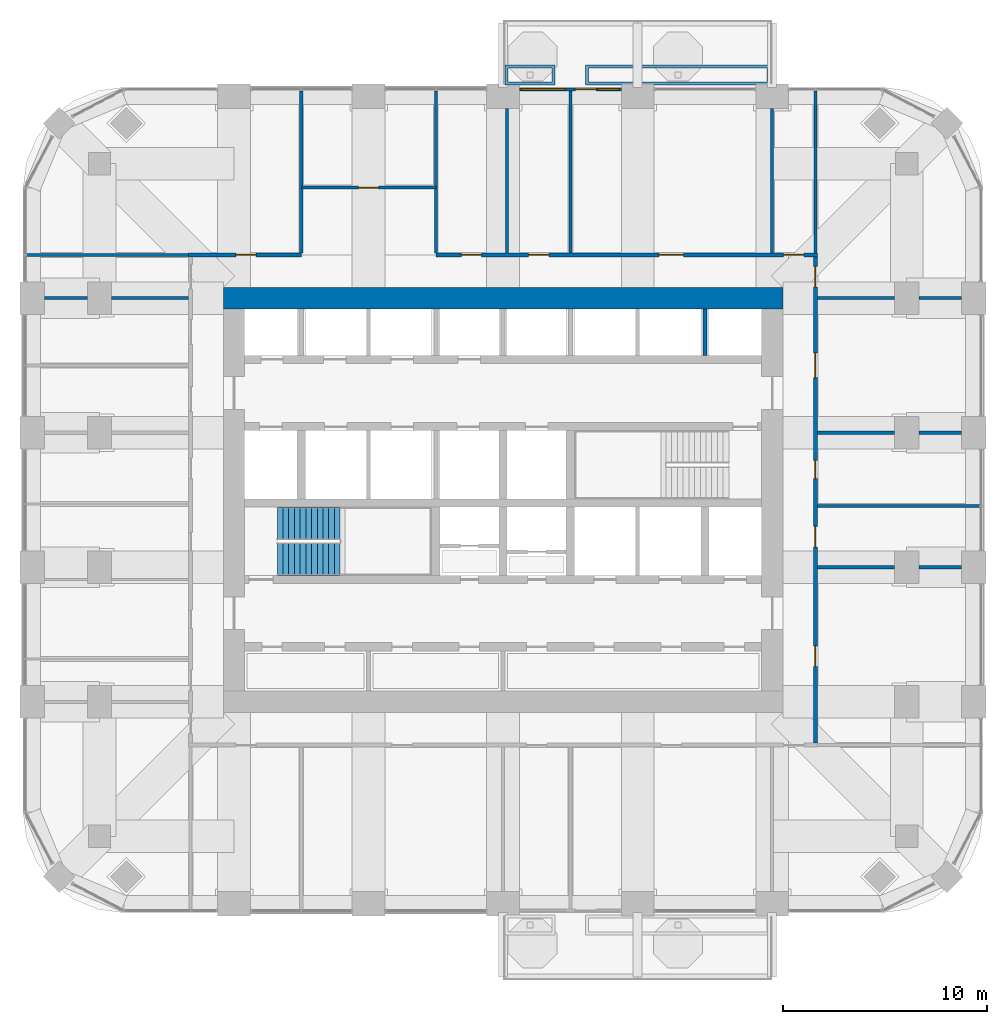
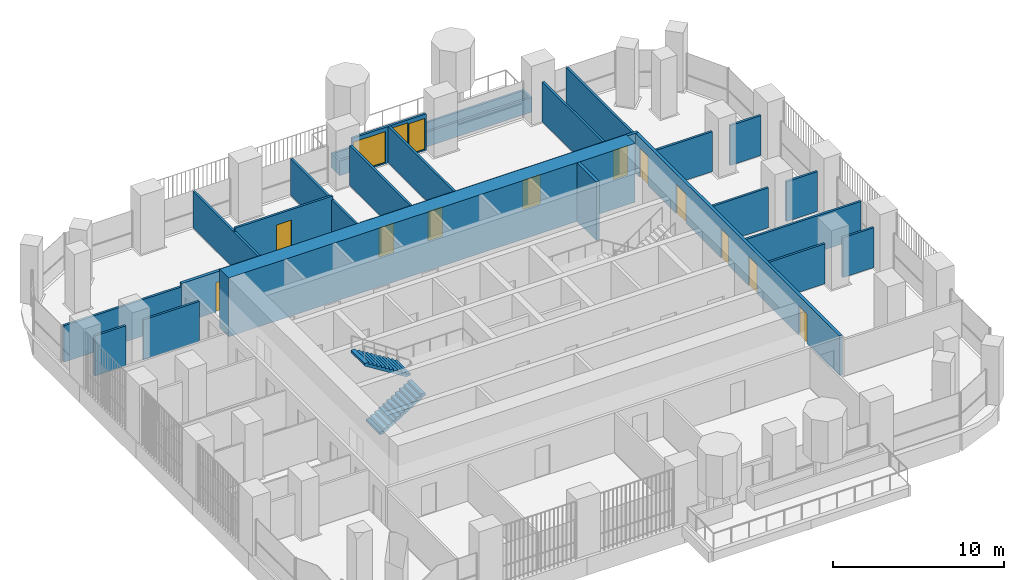
# One storey, part 15 of 20: 25 walls, 12 doors, 2 stair flights, 2 windows, 14 openings, 1 element without a shape of its own.
"""IFC4 building model written with IfcOpenShell, lengths in metres."""

from ifc_helpers import new_model, si_unit, direction, frame, frame_2d, origin, place, context, subcontext, project, spatial, polyline, rectangle, outline, extrude, material, layer, layer_set, type_object, element, fill, aggregate, save


model = new_model("IFC4")

# Units and contexts
model_context = context("Model", 3, precision=1e-05, world=origin(), true_north=direction((0.0, 1.0)))
body_context = subcontext(model_context, "Body", "Model", "MODEL_VIEW")
ifc_project = project(units=[si_unit("LENGTHUNIT", "METRE"), si_unit("AREAUNIT", "SQUARE_METRE"), si_unit("VOLUMEUNIT", "CUBIC_METRE"), si_unit("PLANEANGLEUNIT", "RADIAN"), si_unit("MASSUNIT", "GRAM", prefix="KILO")], contexts=[model_context])

# Site, building, storey
site_placement = place(None, origin())
site = spatial("IfcSite", under=ifc_project, at=site_placement, CompositionType="ELEMENT")
building_placement = place(site_placement, origin())
building = spatial("IfcBuilding", under=site, at=building_placement, Name="Cobogo Forest Laboratory Tower", CompositionType="ELEMENT")
storey_placement = place(building_placement, frame((0.0, 0.0, 214.5)))
storey = spatial("IfcBuildingStorey", under=building, at=storey_placement, Name="L49", CompositionType="ELEMENT", Elevation=214.5)

# Wall
ifc_material_1 = material(Name="Concrete HA-50 (C50/60)", Category="concrete")
ifc_layer_1 = layer(ifc_material_1, 1.050048828125)
ifc_layer_set_1 = layer_set([ifc_layer_1], Name="CW1050 core outer wall 1050")
wall_type_1 = type_object("IfcWallType", Name="CW1050 core outer wall 1050", PredefinedType="SHEAR", material=ifc_layer_set_1)
wall_1_placement = place(storey_placement, frame((40.125, 33.0, 0.0), z_axis=(0.0, 0.0, 1.0), x_axis=(-1.0, 0.0, 0.0)))
element("IfcWall", 1, at=wall_1_placement, inside=storey, type_object=wall_type_1, Name="Core wall CO-N L49", PredefinedType="SHEAR", context=body_context, shape_type="SweptSolid", body=[
    extrude(rectangle(XDim=27.449951171875, YDim=1.050048828125, at=frame_2d((13.72509765625, 0.0))), origin(), (0.0, 0.0, 1.0), 4.199951171875),
])

# Wall, openings, door, windows
ifc_material_2 = material(Name="Aluminium framed glazed screen", Category="aluminium")
ifc_layer_2 = layer(ifc_material_2, 0.14990234375)
ifc_layer_set_2 = layer_set([ifc_layer_2], Name="GS1 glazed door screen 150")
wall_type_2 = type_object("IfcWallType", Name="GS1 glazed door screen 150", PredefinedType="SOLIDWALL", material=ifc_layer_set_2)
wall_2_placement = place(storey_placement, frame((32.199951171875, 43.25, 0.0), z_axis=(0.0, 0.0, 1.0), x_axis=(-1.0, 0.0, 0.0)))
wall_2 = element("IfcWall", 2, at=wall_2_placement, inside=storey, type_object=wall_type_2, Name="Door screen BAL-N1 L49", PredefinedType="SOLIDWALL", context=body_context, shape_type="SweptSolid", body=[
    extrude(rectangle(XDim=5.0, YDim=0.14990234375, at=frame_2d((2.5, 0.0))), origin(), (0.0, 0.0, 1.0), 2.60009765625),
])
opening_1_placement = place(wall_2_placement, frame((1.25, 0.0, 0.0)))
opening_1 = element("IfcOpeningElement", 3, at=opening_1_placement, cuts=wall_2, Name="Opening L49-D44", PredefinedType="OPENING", context=body_context, shape_type="SweptSolid", body=[
    extrude(rectangle(XDim=1.0, YDim=2.39990234375, at=frame_2d((0.5, 1.199951171875))), frame((0.0, 0.0849609375, 0.0), z_axis=(0.0, -1.0, 0.0), x_axis=(1.0, 0.0, 0.0)), (0.0, 0.0, 1.0), 0.169921875),
])
opening_2_placement = place(wall_2_placement, frame((0.10009765625, 0.0, 0.10009765625)))
opening_2 = element("IfcOpeningElement", 4, at=opening_2_placement, cuts=wall_2, Name="Opening L49-W04", PredefinedType="OPENING", context=body_context, shape_type="SweptSolid", body=[
    extrude(rectangle(XDim=1.050048828125, YDim=2.199951171875, at=frame_2d((0.52490234375, 1.10009765625))), frame((0.0, 0.0849609375, 0.0), z_axis=(0.0, -1.0, 0.0), x_axis=(1.0, 0.0, 0.0)), (0.0, 0.0, 1.0), 0.169921875),
])
opening_3_placement = place(wall_2_placement, frame((2.75, 0.0, 0.10009765625)))
opening_3 = element("IfcOpeningElement", 5, at=opening_3_placement, cuts=wall_2, Name="Opening L49-W03", PredefinedType="OPENING", context=body_context, shape_type="SweptSolid", body=[
    extrude(rectangle(XDim=2.14990234375, YDim=2.199951171875, at=frame_2d((1.074951171875, 1.10009765625))), frame((0.0, 0.0849609375, 0.0), z_axis=(0.0, -1.0, 0.0), x_axis=(1.0, 0.0, 0.0)), (0.0, 0.0, 1.0), 0.169921875),
])
ifc_material_3 = material(Name="Aluminium glazed door", Category="aluminium")
door_type_1 = type_object("IfcDoorType", Name="DB1 balcony door 1000 glazed", OperationType="SINGLE_SWING_LEFT", PredefinedType="DOOR", material=ifc_material_3)
door_1_placement = place(opening_1_placement, origin())
door_1 = element("IfcDoor", 6, at=door_1_placement, inside=storey, type_object=door_type_1, Name="Door L49-BAL-N1", OperationType="SINGLE_SWING_LEFT", OverallHeight=2.39990234375, OverallWidth=1.0, PredefinedType="DOOR", context=body_context, shape_type="SweptSolid", body=[
    extrude(rectangle(XDim=1.0, YDim=2.39990234375, at=frame_2d((0.5, 1.199951171875))), frame((0.0, 0.02490234375, 0.0), z_axis=(0.0, -1.0, 0.0), x_axis=(1.0, 0.0, 0.0)), (0.0, 0.0, 1.0), 0.050048828125),
])
fill(opening_1, door_1)
ifc_material_4 = material(Name="Aluminium framed glazing", Category="aluminium")
window_type_1 = type_object("IfcWindowType", Name="WG17 fixed glazed light 2150x2200", PartitioningType="SINGLE_PANEL", PredefinedType="WINDOW", material=ifc_material_4)
window_1_placement = place(opening_3_placement, origin())
window_1 = element("IfcWindow", 7, at=window_1_placement, inside=storey, type_object=window_type_1, Name="Window L49-BAL-N1-2", OverallHeight=2.199951171875, OverallWidth=2.14990234375, PartitioningType="SINGLE_PANEL", PredefinedType="WINDOW", context=body_context, shape_type="SweptSolid", body=[
    extrude(rectangle(XDim=2.14990234375, YDim=2.199951171875, at=frame_2d((1.074951171875, 1.10009765625))), frame((0.0, 0.030029296875, 0.0), z_axis=(0.0, -1.0, 0.0), x_axis=(1.0, 0.0, 0.0)), (0.0, 0.0, 1.0), 0.06005859375),
])
fill(opening_3, window_1)
window_type_2 = type_object("IfcWindowType", Name="WG18 fixed glazed light 1050x2200", PartitioningType="SINGLE_PANEL", PredefinedType="WINDOW", material=ifc_material_4)
window_2_placement = place(opening_2_placement, origin())
window_2 = element("IfcWindow", 8, at=window_2_placement, inside=storey, type_object=window_type_2, Name="Window L49-BAL-N1-1", OverallHeight=2.199951171875, OverallWidth=1.050048828125, PartitioningType="SINGLE_PANEL", PredefinedType="WINDOW", context=body_context, shape_type="SweptSolid", body=[
    extrude(rectangle(XDim=1.050048828125, YDim=2.199951171875, at=frame_2d((0.52490234375, 1.10009765625))), frame((0.0, 0.030029296875, 0.0), z_axis=(0.0, -1.0, 0.0), x_axis=(1.0, 0.0, 0.0)), (0.0, 0.0, 1.0), 0.06005859375),
])
fill(opening_2, window_2)

# Walls
ifc_material_5 = material(Name="Gypsum board on steel studs", Category="steel")
ifc_layer_3 = layer(ifc_material_5, 0.14990234375)
ifc_layer_set_3 = layer_set([ifc_layer_3], Name="PT1 laboratory partition 150")
wall_type_3 = type_object("IfcWallType", Name="PT1 laboratory partition 150", PredefinedType="PARTITIONING", material=ifc_layer_set_3)
wall_3_placement = place(storey_placement, frame((41.72509765625, 43.169921875, 0.0), z_axis=(0.0, 0.0, 1.0), x_axis=(0.0, -1.0, 0.0)))
element("IfcWall", 9, at=wall_3_placement, inside=storey, type_object=wall_type_3, Name="Partition PW-NE L49", PredefinedType="PARTITIONING", context=body_context, shape_type="SweptSolid", body=[
    extrude(rectangle(XDim=7.94482421875, YDim=0.14990234375, at=frame_2d((3.972412109375, 0.0))), origin(), (0.0, 0.0, 1.0), 2.60009765625),
])
for number, where, z_axis, x_axis, name in (
    (10, (3.030029296875, 35.125, 0.0), (0.0, 0.0, 1.0), (1.0, 0.0, 0.0), "Partition PW-NW L49"),
    (11, (49.77001953125, 22.800048828125, 0.0), (0.0, 0.0, 1.0), (-1.0, 0.0, 0.0), "Partition SVC-E1-1 L49"),
):
    element("IfcWall", number, at=place(storey_placement, frame(where, z_axis=z_axis, x_axis=x_axis)), inside=storey, type_object=wall_type_3, Name=name, PredefinedType="PARTITIONING", context=body_context, shape_type="SweptSolid", body=[
        extrude(rectangle(XDim=7.945068359375, YDim=0.14990234375, at=frame_2d((3.97265625, 0.0))), origin(), (0.0, 0.0, 1.0), 2.60009765625),
    ])
wall_4_placement = place(storey_placement, frame((48.89990234375, 26.39990234375, 0.0), z_axis=(0.0, 0.0, 1.0), x_axis=(-1.0, 0.0, 0.0)))
element("IfcWall", 12, at=wall_4_placement, inside=storey, type_object=wall_type_3, Name="Partition SVC-E2-1 L49", PredefinedType="PARTITIONING", context=body_context, shape_type="SweptSolid", body=[
    extrude(rectangle(XDim=2.099853515625, YDim=0.14990234375, at=frame_2d((1.0498046875, 0.0))), origin(), (0.0, 0.0, 1.0), 2.85009765625),
])
wall_5_placement = place(storey_placement, frame((45.60009765625, 26.39990234375, 0.0), z_axis=(0.0, 0.0, 1.0), x_axis=(-1.0, 0.0, 0.0)))
element("IfcWall", 13, at=wall_5_placement, inside=storey, type_object=wall_type_3, Name="Partition SVC-E2-2 L49", PredefinedType="PARTITIONING", context=body_context, shape_type="SweptSolid", body=[
    extrude(rectangle(XDim=3.775146484375, YDim=0.14990234375, at=frame_2d((1.8876953125, 0.0))), origin(), (0.0, 0.0, 1.0), 2.85009765625),
])
wall_6_placement = place(storey_placement, frame((48.89990234375, 19.800048828125, 0.0), z_axis=(0.0, 0.0, 1.0), x_axis=(-1.0, 0.0, 0.0)))
element("IfcWall", 14, at=wall_6_placement, inside=storey, type_object=wall_type_3, Name="Partition CUT-E19.8-1 L49", PredefinedType="PARTITIONING", context=body_context, shape_type="SweptSolid", body=[
    extrude(rectangle(XDim=2.099853515625, YDim=0.14990234375, at=frame_2d((1.0498046875, 0.0))), origin(), (0.0, 0.0, 1.0), 2.85009765625),
])
wall_7_placement = place(storey_placement, frame((45.60009765625, 19.800048828125, 0.0), z_axis=(0.0, 0.0, 1.0), x_axis=(-1.0, 0.0, 0.0)))
element("IfcWall", 15, at=wall_7_placement, inside=storey, type_object=wall_type_3, Name="Partition CUT-E19.8-2 L49", PredefinedType="PARTITIONING", context=body_context, shape_type="SweptSolid", body=[
    extrude(rectangle(XDim=3.775146484375, YDim=0.14990234375, at=frame_2d((1.8876953125, 0.0))), origin(), (0.0, 0.0, 1.0), 2.85009765625),
])
wall_8_placement = place(storey_placement, frame((48.89990234375, 33.0, 0.0), z_axis=(0.0, 0.0, 1.0), x_axis=(-1.0, 0.0, 0.0)))
element("IfcWall", 16, at=wall_8_placement, inside=storey, type_object=wall_type_3, Name="Partition CUT-E33-1 L49", PredefinedType="PARTITIONING", context=body_context, shape_type="SweptSolid", body=[
    extrude(rectangle(XDim=2.099853515625, YDim=0.14990234375, at=frame_2d((1.0498046875, 0.0))), origin(), (0.0, 0.0, 1.0), 2.85009765625),
])
wall_9_placement = place(storey_placement, frame((45.60009765625, 33.0, 0.0), z_axis=(0.0, 0.0, 1.0), x_axis=(-1.0, 0.0, 0.0)))
element("IfcWall", 17, at=wall_9_placement, inside=storey, type_object=wall_type_3, Name="Partition CUT-E33-2 L49", PredefinedType="PARTITIONING", context=body_context, shape_type="SweptSolid", body=[
    extrude(rectangle(XDim=3.775146484375, YDim=0.14990234375, at=frame_2d((1.8876953125, 0.0))), origin(), (0.0, 0.0, 1.0), 2.85009765625),
])

# Wall, opening, door
wall_10_placement = place(storey_placement, frame((16.5, 38.425048828125, 0.0), z_axis=(0.0, 0.0, 1.0), x_axis=(1.0, 0.0, 0.0)))
wall_10 = element("IfcWall", 18, at=wall_10_placement, inside=storey, type_object=wall_type_3, Name="Partition NODE-N-1 L49", PredefinedType="PARTITIONING", context=body_context, shape_type="SweptSolid", body=[
    extrude(rectangle(XDim=6.60009765625, YDim=0.14990234375, at=frame_2d((3.300048828125, 0.0))), origin(), (0.0, 0.0, 1.0), 2.85009765625),
])
opening_4_placement = place(wall_10_placement, frame((2.800048828125, 0.0, 0.0)))
opening_4 = element("IfcOpeningElement", 19, at=opening_4_placement, cuts=wall_10, Name="Opening L49-D43", PredefinedType="OPENING", context=body_context, shape_type="SweptSolid", body=[
    extrude(rectangle(XDim=1.0, YDim=2.10009765625, at=frame_2d((0.5, 1.050048828125))), frame((0.0, 0.0849609375, 0.0), z_axis=(0.0, -1.0, 0.0), x_axis=(1.0, 0.0, 0.0)), (0.0, 0.0, 1.0), 0.169921875),
])
ifc_material_6 = material(Name="Timber fire door", Category="wood")
door_type_2 = type_object("IfcDoorType", Name="FD2 fire door 1000 EI2 30", OperationType="SINGLE_SWING_LEFT", PredefinedType="DOOR", material=ifc_material_6)
door_2_placement = place(opening_4_placement, origin())
door_2 = element("IfcDoor", 20, at=door_2_placement, inside=storey, type_object=door_type_2, Name="Door L49-N2", OperationType="SINGLE_SWING_LEFT", OverallHeight=2.10009765625, OverallWidth=1.0, PredefinedType="DOOR", context=body_context, shape_type="SweptSolid", body=[
    extrude(rectangle(XDim=1.0, YDim=2.10009765625, at=frame_2d((0.5, 1.050048828125))), frame((0.0, 0.02490234375, 0.0), z_axis=(0.0, -1.0, 0.0), x_axis=(1.0, 0.0, 0.0)), (0.0, 0.0, 1.0), 0.050048828125),
])
fill(opening_4, door_2)

# Walls
wall_11_placement = place(storey_placement, frame((26.60009765625, 42.300048828125, 0.0), z_axis=(0.0, 0.0, 1.0), x_axis=(0.0, -1.0, 0.0)))
element("IfcWall", 21, at=wall_11_placement, inside=storey, type_object=wall_type_3, Name="Partition SVC-N1-1 L49", PredefinedType="PARTITIONING", context=body_context, shape_type="SweptSolid", body=[
    extrude(rectangle(XDim=7.074951171875, YDim=0.14990234375, at=frame_2d((3.53759765625, 0.0))), origin(), (0.0, 0.0, 1.0), 2.85009765625),
])
for number, where, z_axis, x_axis, name in (
    (22, (29.699951171875, 43.169921875, 0.0), (0.0, 0.0, 1.0), (0.0, -1.0, 0.0), "Partition SVC-N2-1 L49"),
    (23, (16.5, 43.169921875, 0.0), (0.0, 0.0, 1.0), (0.0, -1.0, 0.0), "Partition CUT-N16.5-1 L49"),
    (24, (23.10009765625, 43.169921875, 0.0), (0.0, 0.0, 1.0), (0.0, -1.0, 0.0), "Partition CUT-N23.1-1 L49"),
):
    element("IfcWall", number, at=place(storey_placement, frame(where, z_axis=z_axis, x_axis=x_axis)), inside=storey, type_object=wall_type_3, Name=name, PredefinedType="PARTITIONING", context=body_context, shape_type="SweptSolid", body=[
        extrude(rectangle(XDim=7.94482421875, YDim=0.14990234375, at=frame_2d((3.972412109375, 0.0))), origin(), (0.0, 0.0, 1.0), 2.60009765625),
    ])
wall_12_placement = place(storey_placement, frame((39.60009765625, 42.300048828125, 0.0), z_axis=(0.0, 0.0, 1.0), x_axis=(0.0, -1.0, 0.0)))
element("IfcWall", 25, at=wall_12_placement, inside=storey, type_object=wall_type_3, Name="Partition CUT-N39.6-1 L49", PredefinedType="PARTITIONING", context=body_context, shape_type="SweptSolid", body=[
    extrude(rectangle(XDim=7.074951171875, YDim=0.14990234375, at=frame_2d((3.53759765625, 0.0))), origin(), (0.0, 0.0, 1.0), 2.85009765625),
])
wall_13_placement = place(storey_placement, frame((3.89990234375, 33.0, 0.0), z_axis=(0.0, 0.0, 1.0), x_axis=(1.0, 0.0, 0.0)))
element("IfcWall", 26, at=wall_13_placement, inside=storey, type_object=wall_type_3, Name="Partition CUT-W33-1 L49", PredefinedType="PARTITIONING", context=body_context, shape_type="SweptSolid", body=[
    extrude(rectangle(XDim=2.10009765625, YDim=0.14990234375, at=frame_2d((1.050048828125, 0.0))), origin(), (0.0, 0.0, 1.0), 2.85009765625),
])
wall_14_placement = place(storey_placement, frame((7.199951171875, 33.0, 0.0), z_axis=(0.0, 0.0, 1.0), x_axis=(1.0, 0.0, 0.0)))
element("IfcWall", 27, at=wall_14_placement, inside=storey, type_object=wall_type_3, Name="Partition CUT-W33-2 L49", PredefinedType="PARTITIONING", context=body_context, shape_type="SweptSolid", body=[
    extrude(rectangle(XDim=3.775146484375, YDim=0.14990234375, at=frame_2d((1.8876953125, 0.0))), origin(), (0.0, 0.0, 1.0), 2.85009765625),
])

# Wall, opening, door
ifc_layer_4 = layer(ifc_material_5, 0.199951171875)
ifc_layer_set_4 = layer_set([ifc_layer_4], Name="PT2 fire-rated corridor partition 200")
wall_type_4 = type_object("IfcWallType", Name="PT2 fire-rated corridor partition 200", PredefinedType="PARTITIONING", material=ifc_layer_set_4)
wall_15_placement = place(storey_placement, frame((10.97509765625, 35.125, 0.0), z_axis=(0.0, 0.0, 1.0), x_axis=(1.0, 0.0, 0.0)))
wall_15 = element("IfcWall", 28, at=wall_15_placement, inside=storey, type_object=wall_type_4, Name="Partition CORR-N-1 L49", PredefinedType="PARTITIONING", context=body_context, shape_type="SweptSolid", body=[
    extrude(rectangle(XDim=5.52490234375, YDim=0.199951171875, at=frame_2d((2.762451171875, 0.0))), origin(), (0.0, 0.0, 1.0), 2.85009765625),
])
opening_5_placement = place(wall_15_placement, frame((2.3125, 0.0, 0.0)))
opening_5 = element("IfcOpeningElement", 29, at=opening_5_placement, cuts=wall_15, Name="Opening L49-D38", PredefinedType="OPENING", context=body_context, shape_type="SweptSolid", body=[
    extrude(rectangle(XDim=1.0, YDim=2.10009765625, at=frame_2d((0.5, 1.050048828125))), frame((0.0, 0.10986328125, 0.0), z_axis=(0.0, -1.0, 0.0), x_axis=(1.0, 0.0, 0.0)), (0.0, 0.0, 1.0), 0.219970703125),
])
door_3_placement = place(opening_5_placement, origin())
door_3 = element("IfcDoor", 30, at=door_3_placement, inside=storey, type_object=door_type_2, Name="Door L49-N1", OperationType="SINGLE_SWING_RIGHT", OverallHeight=2.10009765625, OverallWidth=1.0, PredefinedType="DOOR", context=body_context, shape_type="SweptSolid", body=[
    extrude(rectangle(XDim=1.0, YDim=2.10009765625, at=frame_2d((0.5, 1.050048828125))), frame((0.0, 0.02490234375, 0.0), z_axis=(0.0, -1.0, 0.0), x_axis=(1.0, 0.0, 0.0)), (0.0, 0.0, 1.0), 0.050048828125),
])
fill(opening_5, door_3)

# Wall, openings, doors
wall_16_placement = place(storey_placement, frame((23.10009765625, 35.125, 0.0), z_axis=(0.0, 0.0, 1.0), x_axis=(1.0, 0.0, 0.0)))
wall_16 = element("IfcWall", 31, at=wall_16_placement, inside=storey, type_object=wall_type_4, Name="Partition CORR-N-2 L49", PredefinedType="PARTITIONING", context=body_context, shape_type="SweptSolid", body=[
    extrude(rectangle(XDim=18.724853515625, YDim=0.199951171875, at=frame_2d((9.3623046875, 0.0))), origin(), (0.0, 0.0, 1.0), 2.85009765625),
])
opening_6_placement = place(wall_16_placement, frame((1.25, 0.0, 0.0)))
opening_6 = element("IfcOpeningElement", 32, at=opening_6_placement, cuts=wall_16, Name="Opening L49-D39", PredefinedType="OPENING", context=body_context, shape_type="SweptSolid", body=[
    extrude(rectangle(XDim=1.0, YDim=2.10009765625, at=frame_2d((0.5, 1.050048828125))), frame((0.0, 0.10986328125, 0.0), z_axis=(0.0, -1.0, 0.0), x_axis=(1.0, 0.0, 0.0)), (0.0, 0.0, 1.0), 0.219970703125),
])
opening_7_placement = place(wall_16_placement, frame((4.550048828125, 0.0, 0.0)))
opening_7 = element("IfcOpeningElement", 33, at=opening_7_placement, cuts=wall_16, Name="Opening L49-D40", PredefinedType="OPENING", context=body_context, shape_type="SweptSolid", body=[
    extrude(rectangle(XDim=1.0, YDim=2.10009765625, at=frame_2d((0.5, 1.050048828125))), frame((0.0, 0.10986328125, 0.0), z_axis=(0.0, -1.0, 0.0), x_axis=(1.0, 0.0, 0.0)), (0.0, 0.0, 1.0), 0.219970703125),
])
opening_8_placement = place(wall_16_placement, frame((10.949951171875, 0.0, 0.0)))
opening_8 = element("IfcOpeningElement", 34, at=opening_8_placement, cuts=wall_16, Name="Opening L49-D41", PredefinedType="OPENING", context=body_context, shape_type="SweptSolid", body=[
    extrude(rectangle(XDim=1.199951171875, YDim=2.10009765625, at=frame_2d((0.60009765625, 1.050048828125))), frame((0.0, 0.10986328125, 0.0), z_axis=(0.0, -1.0, 0.0), x_axis=(1.0, 0.0, 0.0)), (0.0, 0.0, 1.0), 0.219970703125),
])
opening_9_placement = place(wall_16_placement, frame((17.0625, 0.0, 0.0)))
opening_9 = element("IfcOpeningElement", 35, at=opening_9_placement, cuts=wall_16, Name="Opening L49-D42", PredefinedType="OPENING", context=body_context, shape_type="SweptSolid", body=[
    extrude(rectangle(XDim=1.0, YDim=2.10009765625, at=frame_2d((0.5, 1.050048828125))), frame((0.0, 0.10986328125, 0.0), z_axis=(0.0, -1.0, 0.0), x_axis=(1.0, 0.0, 0.0)), (0.0, 0.0, 1.0), 0.219970703125),
])
ifc_material_7 = material(Name="Timber door", Category="wood")
door_type_3 = type_object("IfcDoorType", Name="D2 laboratory door 1200 unequal pair", OperationType="DOUBLE_DOOR_SINGLE_SWING", PredefinedType="DOOR", material=ifc_material_7)
door_4_placement = place(opening_8_placement, origin())
door_4 = element("IfcDoor", 36, at=door_4_placement, inside=storey, type_object=door_type_3, Name="Door L49-N3", OperationType="DOUBLE_DOOR_SINGLE_SWING", OverallHeight=2.10009765625, OverallWidth=1.199951171875, PredefinedType="DOOR", context=body_context, shape_type="SweptSolid", body=[
    extrude(rectangle(XDim=1.199951171875, YDim=2.10009765625, at=frame_2d((0.60009765625, 1.050048828125))), frame((0.0, 0.02490234375, 0.0), z_axis=(0.0, -1.0, 0.0), x_axis=(1.0, 0.0, 0.0)), (0.0, 0.0, 1.0), 0.050048828125),
])
fill(opening_8, door_4)
door_5_placement = place(opening_6_placement, origin())
door_5 = element("IfcDoor", 37, at=door_5_placement, inside=storey, type_object=door_type_2, Name="Door L49-MTG", OperationType="SINGLE_SWING_LEFT", OverallHeight=2.10009765625, OverallWidth=1.0, PredefinedType="DOOR", context=body_context, shape_type="SweptSolid", body=[
    extrude(rectangle(XDim=1.0, YDim=2.10009765625, at=frame_2d((0.5, 1.050048828125))), frame((0.0, 0.02490234375, 0.0), z_axis=(0.0, -1.0, 0.0), x_axis=(1.0, 0.0, 0.0)), (0.0, 0.0, 1.0), 0.050048828125),
])
fill(opening_6, door_5)
door_6_placement = place(opening_7_placement, origin())
door_6 = element("IfcDoor", 38, at=door_6_placement, inside=storey, type_object=door_type_2, Name="Door L49-PAN", OperationType="SINGLE_SWING_LEFT", OverallHeight=2.10009765625, OverallWidth=1.0, PredefinedType="DOOR", context=body_context, shape_type="SweptSolid", body=[
    extrude(rectangle(XDim=1.0, YDim=2.10009765625, at=frame_2d((0.5, 1.050048828125))), frame((0.0, 0.02490234375, 0.0), z_axis=(0.0, -1.0, 0.0), x_axis=(1.0, 0.0, 0.0)), (0.0, 0.0, 1.0), 0.050048828125),
])
fill(opening_7, door_6)
door_7_placement = place(opening_9_placement, origin())
door_7 = element("IfcDoor", 39, at=door_7_placement, inside=storey, type_object=door_type_2, Name="Door L49-N4", OperationType="SINGLE_SWING_RIGHT", OverallHeight=2.10009765625, OverallWidth=1.0, PredefinedType="DOOR", context=body_context, shape_type="SweptSolid", body=[
    extrude(rectangle(XDim=1.0, YDim=2.10009765625, at=frame_2d((0.5, 1.050048828125))), frame((0.0, 0.02490234375, 0.0), z_axis=(0.0, -1.0, 0.0), x_axis=(1.0, 0.0, 0.0)), (0.0, 0.0, 1.0), 0.050048828125),
])
fill(opening_9, door_7)

wall_17_placement = place(storey_placement, frame((41.72509765625, 11.175048828125, 0.0), z_axis=(0.0, 0.0, 1.0), x_axis=(0.0, 1.0, 0.0)))
wall_17 = element("IfcWall", 40, at=wall_17_placement, inside=storey, type_object=wall_type_4, Name="Partition CORR-E L49", PredefinedType="PARTITIONING", context=body_context, shape_type="SweptSolid", body=[
    extrude(rectangle(XDim=23.849853515625, YDim=0.199951171875, at=frame_2d((11.9248046875, 0.0))), origin(), (0.0, 0.0, 1.0), 2.85009765625),
])
opening_10_placement = place(wall_17_placement, frame((3.762451171875, 0.0, 0.0)))
opening_10 = element("IfcOpeningElement", 41, at=opening_10_placement, cuts=wall_17, Name="Opening L49-D09", PredefinedType="OPENING", context=body_context, shape_type="SweptSolid", body=[
    extrude(rectangle(XDim=1.0, YDim=2.10009765625, at=frame_2d((0.5, 1.050048828125))), frame((0.0, 0.10986328125, 0.0), z_axis=(0.0, -1.0, 0.0), x_axis=(1.0, 0.0, 0.0)), (0.0, 0.0, 1.0), 0.219970703125),
])
opening_11_placement = place(wall_17_placement, frame((9.625, 0.0, 0.0)))
opening_11 = element("IfcOpeningElement", 42, at=opening_11_placement, cuts=wall_17, Name="Opening L49-D27", PredefinedType="OPENING", context=body_context, shape_type="SweptSolid", body=[
    extrude(rectangle(XDim=1.0, YDim=2.10009765625, at=frame_2d((0.5, 1.050048828125))), frame((0.0, 0.10986328125, 0.0), z_axis=(0.0, -1.0, 0.0), x_axis=(1.0, 0.0, 0.0)), (0.0, 0.0, 1.0), 0.219970703125),
])
opening_12_placement = place(wall_17_placement, frame((12.97509765625, 0.0, 0.0)))
opening_12 = element("IfcOpeningElement", 43, at=opening_12_placement, cuts=wall_17, Name="Opening L49-D28", PredefinedType="OPENING", context=body_context, shape_type="SweptSolid", body=[
    extrude(rectangle(XDim=0.89990234375, YDim=2.10009765625, at=frame_2d((0.449951171875, 1.050048828125))), frame((0.0, 0.10986328125, 0.0), z_axis=(0.0, -1.0, 0.0), x_axis=(1.0, 0.0, 0.0)), (0.0, 0.0, 1.0), 0.219970703125),
])
opening_13_placement = place(wall_17_placement, frame((17.925048828125, 0.0, 0.0)))
opening_13 = element("IfcOpeningElement", 44, at=opening_13_placement, cuts=wall_17, Name="Opening L49-D34", PredefinedType="OPENING", context=body_context, shape_type="SweptSolid", body=[
    extrude(rectangle(XDim=1.199951171875, YDim=2.10009765625, at=frame_2d((0.60009765625, 1.050048828125))), frame((0.0, 0.10986328125, 0.0), z_axis=(0.0, -1.0, 0.0), x_axis=(1.0, 0.0, 0.0)), (0.0, 0.0, 1.0), 0.219970703125),
])
opening_14_placement = place(wall_17_placement, frame((22.387451171875, 0.0, 0.0)))
opening_14 = element("IfcOpeningElement", 45, at=opening_14_placement, cuts=wall_17, Name="Opening L49-D37", PredefinedType="OPENING", context=body_context, shape_type="SweptSolid", body=[
    extrude(rectangle(XDim=1.0, YDim=2.10009765625, at=frame_2d((0.5, 1.050048828125))), frame((0.0, 0.10986328125, 0.0), z_axis=(0.0, -1.0, 0.0), x_axis=(1.0, 0.0, 0.0)), (0.0, 0.0, 1.0), 0.219970703125),
])
door_8_placement = place(opening_13_placement, origin())
door_8 = element("IfcDoor", 46, at=door_8_placement, inside=storey, type_object=door_type_3, Name="Door L49-E2", OperationType="DOUBLE_DOOR_SINGLE_SWING", OverallHeight=2.10009765625, OverallWidth=1.199951171875, PredefinedType="DOOR", context=body_context, shape_type="SweptSolid", body=[
    extrude(rectangle(XDim=1.199951171875, YDim=2.10009765625, at=frame_2d((0.60009765625, 1.050048828125))), frame((0.0, 0.02490234375, 0.0), z_axis=(0.0, -1.0, 0.0), x_axis=(1.0, 0.0, 0.0)), (0.0, 0.0, 1.0), 0.050048828125),
])
fill(opening_13, door_8)
ifc_material_8 = material(Name="Steel fire door", Category="steel")
door_type_4 = type_object("IfcDoorType", Name="FD1 fire door 1000 EI2 60", OperationType="SINGLE_SWING_LEFT", PredefinedType="DOOR", material=ifc_material_8)
door_9_placement = place(opening_11_placement, origin())
door_9 = element("IfcDoor", 47, at=door_9_placement, inside=storey, type_object=door_type_4, Name="Door L49-ELEC", OperationType="SINGLE_SWING_LEFT", OverallHeight=2.10009765625, OverallWidth=1.0, PredefinedType="DOOR", context=body_context, shape_type="SweptSolid", body=[
    extrude(rectangle(XDim=1.0, YDim=2.10009765625, at=frame_2d((0.5, 1.050048828125))), frame((0.0, 0.02490234375, 0.0), z_axis=(0.0, -1.0, 0.0), x_axis=(1.0, 0.0, 0.0)), (0.0, 0.0, 1.0), 0.050048828125),
])
fill(opening_11, door_9)
door_10_placement = place(opening_10_placement, origin())
door_10 = element("IfcDoor", 48, at=door_10_placement, inside=storey, type_object=door_type_2, Name="Door L49-E1", OperationType="SINGLE_SWING_LEFT", OverallHeight=2.10009765625, OverallWidth=1.0, PredefinedType="DOOR", context=body_context, shape_type="SweptSolid", body=[
    extrude(rectangle(XDim=1.0, YDim=2.10009765625, at=frame_2d((0.5, 1.050048828125))), frame((0.0, 0.02490234375, 0.0), z_axis=(0.0, -1.0, 0.0), x_axis=(1.0, 0.0, 0.0)), (0.0, 0.0, 1.0), 0.050048828125),
])
fill(opening_10, door_10)
door_11_placement = place(opening_14_placement, origin())
door_11 = element("IfcDoor", 49, at=door_11_placement, inside=storey, type_object=door_type_2, Name="Door L49-E3", OperationType="SINGLE_SWING_RIGHT", OverallHeight=2.10009765625, OverallWidth=1.0, PredefinedType="DOOR", context=body_context, shape_type="SweptSolid", body=[
    extrude(rectangle(XDim=1.0, YDim=2.10009765625, at=frame_2d((0.5, 1.050048828125))), frame((0.0, 0.02490234375, 0.0), z_axis=(0.0, -1.0, 0.0), x_axis=(1.0, 0.0, 0.0)), (0.0, 0.0, 1.0), 0.050048828125),
])
fill(opening_14, door_11)
door_type_5 = type_object("IfcDoorType", Name="FD4 riser access door 900 EI2 60", OperationType="SINGLE_SWING_LEFT", PredefinedType="DOOR", material=ifc_material_8)
door_12_placement = place(opening_12_placement, origin())
door_12 = element("IfcDoor", 50, at=door_12_placement, inside=storey, type_object=door_type_5, Name="Door L49-COMMS", OperationType="SINGLE_SWING_RIGHT", OverallHeight=2.10009765625, OverallWidth=0.89990234375, PredefinedType="DOOR", context=body_context, shape_type="SweptSolid", body=[
    extrude(rectangle(XDim=0.89990234375, YDim=2.10009765625, at=frame_2d((0.449951171875, 1.050048828125))), frame((0.0, 0.02490234375, 0.0), z_axis=(0.0, -1.0, 0.0), x_axis=(1.0, 0.0, 0.0)), (0.0, 0.0, 1.0), 0.050048828125),
])
fill(opening_12, door_12)

# Walls
ifc_material_9 = material(Name="Concrete HA-40 (C40/50)", Category="concrete")
ifc_layer_5 = layer(ifc_material_9, 0.14990234375)
ifc_layer_set_5 = layer_set([ifc_layer_5], Name="Planter box 1000x1050")
wall_type_5 = type_object("IfcWallType", Name="Planter box 1000x1050", PredefinedType="USERDEFINED", material=ifc_layer_set_5)
wall_18_placement = place(storey_placement, origin())
element("IfcWall", 51, at=wall_18_placement, inside=storey, type_object=wall_type_5, Name="Planter BAL-N1-1 L49", ObjectType="PLANTER", PredefinedType="USERDEFINED", context=body_context, shape_type="SweptSolid", body=[
    extrude(outline(polyline([(26.5, 43.449951171875), (28.949951171875, 43.449951171875), (28.949951171875, 44.449951171875), (26.5, 44.449951171875), (26.5, 43.449951171875)]), holes=[polyline([(26.64990234375, 43.60009765625), (28.800048828125, 43.60009765625), (28.800048828125, 44.300048828125), (26.64990234375, 44.300048828125), (26.64990234375, 43.60009765625)])]), origin(), (0.0, 0.0, 1.0), 1.050048828125),
])
wall_19_placement = place(storey_placement, origin())
element("IfcWall", 52, at=wall_19_placement, inside=storey, type_object=wall_type_5, Name="Planter BAL-N1-2 L49", ObjectType="PLANTER", PredefinedType="USERDEFINED", context=body_context, shape_type="SweptSolid", body=[
    extrude(outline(polyline([(30.449951171875, 43.449951171875), (39.5, 43.449951171875), (39.5, 44.449951171875), (30.449951171875, 44.449951171875), (30.449951171875, 43.449951171875)]), holes=[polyline([(30.60009765625, 43.60009765625), (39.35009765625, 43.60009765625), (39.35009765625, 44.300048828125), (30.60009765625, 44.300048828125), (30.60009765625, 43.60009765625)])]), origin(), (0.0, 0.0, 1.0), 1.050048828125),
])
ifc_material_10 = material(Name="Concrete block", Category="concrete")
ifc_layer_6 = layer(ifc_material_10, 0.199951171875)
ifc_layer_set_6 = layer_set([ifc_layer_6], Name="SW200 lift shaft separator 200")
wall_type_6 = type_object("IfcWallType", Name="SW200 lift shaft separator 200", PredefinedType="PARTITIONING", material=ifc_layer_set_6)
wall_20_placement = place(storey_placement, frame((36.300048828125, 30.199951171875, 0.0), z_axis=(0.0, 0.0, 1.0), x_axis=(0.0, 1.0, 0.0)))
element("IfcWall", 53, at=wall_20_placement, inside=storey, type_object=wall_type_6, Name="Core wall SEP-N7 L49", PredefinedType="PARTITIONING", context=body_context, shape_type="SweptSolid", body=[
    extrude(rectangle(XDim=2.275146484375, YDim=0.199951171875, at=frame_2d((1.1376953125, 0.0))), origin(), (0.0, 0.0, 1.0), 4.199951171875),
])

# Stair, stair flights
ifc_material_11 = material(Name="Precast concrete HA-40 (C40/50)", Category="concrete")
stair_type = type_object("IfcStairType", Name="ST24 exit stair 24 risers", PredefinedType="HALF_TURN_STAIR", material=ifc_material_11)
stair_placement = place(storey_placement, origin())
stair = element("IfcStair", 54, at=stair_placement, inside=storey, type_object=stair_type, Name="Stair 1 L49 to L50", PredefinedType="HALF_TURN_STAIR")
stair_flight_type = type_object("IfcStairFlightType", Name="ST stair flight 280 going", PredefinedType="STRAIGHT", material=ifc_material_11)
stair_flight_1_placement = place(storey_placement, frame((15.324951171875, 20.199951171875, 0.0), z_axis=(0.0, 0.0, 1.0), x_axis=(1.0, 0.0, 0.0)))
stair_flight_1 = element("IfcStairFlight", 55, at=stair_flight_1_placement, type_object=stair_flight_type, Name="ST1 flight 1", NumberOfRisers=12, NumberOfTreads=11, PredefinedType="STRAIGHT", RiserHeight=0.175, TreadLength=0.28, context=body_context, shape_type="SweptSolid", body=[
    extrude(outline(polyline([(0.0, 0.0), (0.0, 0.175048828125), (0.280029296875, 0.175048828125), (0.280029296875, 0.35009765625), (0.56005859375, 0.35009765625), (0.56005859375, 0.52490234375), (0.840087890625, 0.52490234375), (0.840087890625, 0.699951171875), (1.1201171875, 0.699951171875), (1.1201171875, 0.875), (1.39990234375, 0.875), (1.39990234375, 1.050048828125), (1.679931640625, 1.050048828125), (1.679931640625, 1.22509765625), (1.9599609375, 1.22509765625), (1.9599609375, 1.39990234375), (2.239990234375, 1.39990234375), (2.239990234375, 1.574951171875), (2.52001953125, 1.574951171875), (2.52001953125, 1.75), (2.800048828125, 1.75), (2.800048828125, 1.925048828125), (3.080078125, 1.925048828125), (3.080078125, 2.10009765625), (3.080078125, 1.748291015625), (0.28271484375, 0.0), (0.0, 0.0)])), frame((0.0, 0.800048828125, 0.0), z_axis=(0.0, -1.0, 0.0), x_axis=(1.0, 0.0, 0.0)), (0.0, 0.0, 1.0), 1.60009765625),
])
stair_flight_2_placement = place(storey_placement, frame((18.405029296875, 21.949951171875, 2.10009765625), z_axis=(0.0, 0.0, 1.0), x_axis=(-1.0, 0.0, 0.0)))
stair_flight_2 = element("IfcStairFlight", 56, at=stair_flight_2_placement, type_object=stair_flight_type, Name="ST1 flight 2", NumberOfRisers=12, NumberOfTreads=11, PredefinedType="STRAIGHT", RiserHeight=0.175, TreadLength=0.28, context=body_context, shape_type="SweptSolid", body=[
    extrude(outline(polyline([(0.0, 0.0), (0.0, 0.175048828125), (0.280029296875, 0.175048828125), (0.280029296875, 0.35009765625), (0.56005859375, 0.35009765625), (0.56005859375, 0.52490234375), (0.840087890625, 0.52490234375), (0.840087890625, 0.699951171875), (1.1201171875, 0.699951171875), (1.1201171875, 0.875), (1.39990234375, 0.875), (1.39990234375, 1.050048828125), (1.679931640625, 1.050048828125), (1.679931640625, 1.22509765625), (1.9599609375, 1.22509765625), (1.9599609375, 1.39990234375), (2.239990234375, 1.39990234375), (2.239990234375, 1.574951171875), (2.52001953125, 1.574951171875), (2.52001953125, 1.75), (2.800048828125, 1.75), (2.800048828125, 1.925048828125), (3.080078125, 1.925048828125), (3.080078125, 2.10009765625), (3.080078125, 1.748291015625), (0.28271484375, 0.0), (0.0, 0.0)])), frame((0.0, 0.800048828125, 0.0), z_axis=(0.0, -1.0, 0.0), x_axis=(1.0, 0.0, 0.0)), (0.0, 0.0, 1.0), 1.60009765625),
])
aggregate(stair, [stair_flight_1, stair_flight_2])

save(model, "model.ifc")
